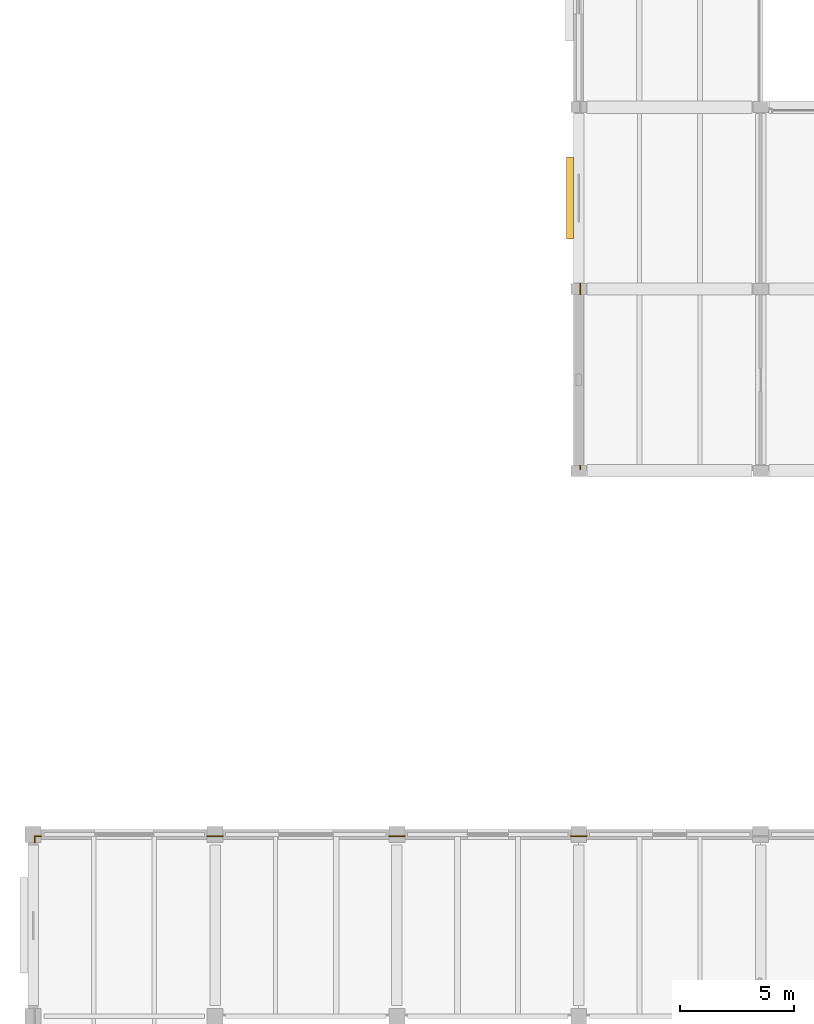
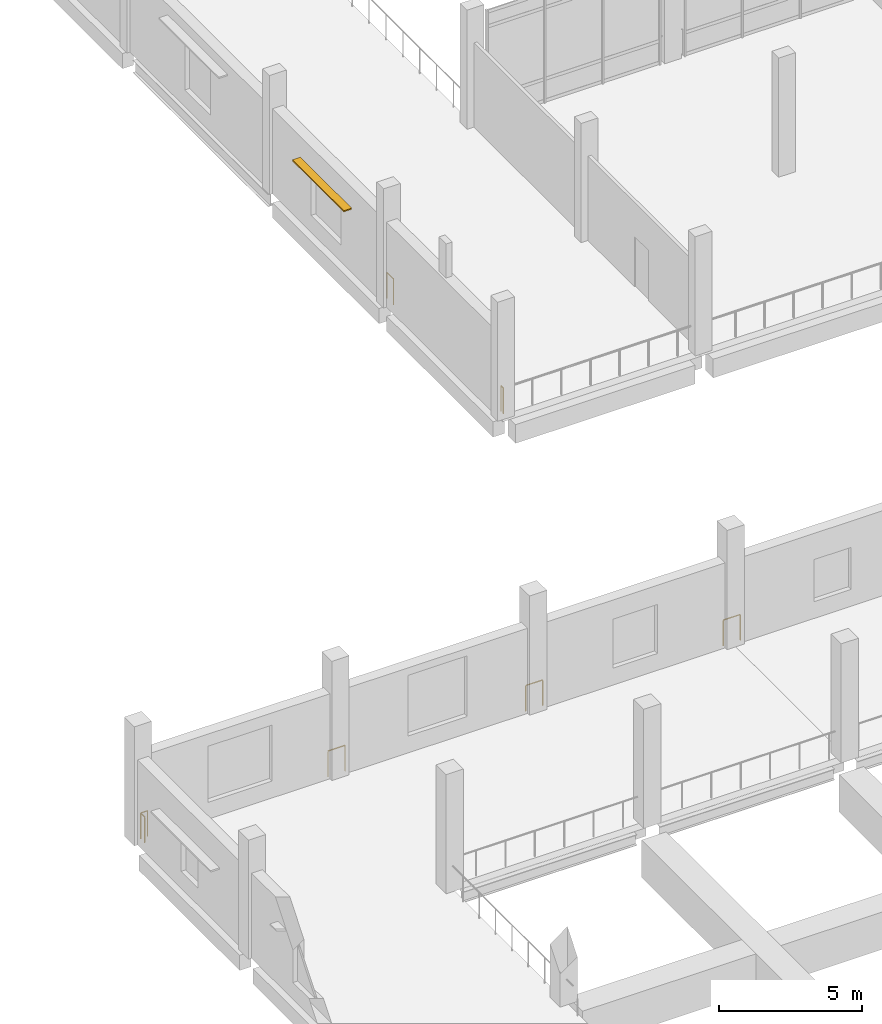
# One storey, part 44 of 61: 7 railings, 1 shading device.
"""IFC4 building model written with IfcOpenShell, lengths in metres."""

from ifc_helpers import new_model, si_unit, direction, frame, origin, origin_2d, place, context, subcontext, project, spatial, rectangle, circle, extrude, material, type_object, element, save


model = new_model("IFC4")

# Units and contexts
model_context = context("Model", 3, precision=1e-05, world=origin(), true_north=direction((0.0, 1.0)))
body_context = subcontext(model_context, "Body", "Model", "MODEL_VIEW")
ifc_project = project(units=[si_unit("LENGTHUNIT", "METRE"), si_unit("AREAUNIT", "SQUARE_METRE"), si_unit("VOLUMEUNIT", "CUBIC_METRE"), si_unit("PLANEANGLEUNIT", "RADIAN"), si_unit("MASSUNIT", "GRAM", prefix="KILO")], contexts=[model_context])

# Site, building, storey
site_placement = place(None, origin())
site = spatial("IfcSite", under=ifc_project, at=site_placement, CompositionType="ELEMENT")
building_placement = place(site_placement, origin())
building = spatial("IfcBuilding", under=site, at=building_placement, Name="Pecanmere Concourse Central Library", CompositionType="ELEMENT")
storey_placement = place(building_placement, frame((0.0, 0.0, 5.39990234375)))
storey = spatial("IfcBuildingStorey", under=building, at=storey_placement, Name="L02", CompositionType="ELEMENT", Elevation=5.39990234375)

# Railings
ifc_material_1 = material(Name="Architectural anodized bronze")
railing_type = type_object("IfcRailingType", Name="RAIL_ATRIUM_BAL", PredefinedType="BALUSTRADE", material=ifc_material_1)
railing_1_placement = place(storey_placement, frame((24.070068359375, 48.070068359375, 0.0)))
element("IfcRailing", 1, at=railing_1_placement, inside=storey, type_object=railing_type, Name="Deck Edge Protective Balustrade L02-041", PredefinedType="BALUSTRADE", context=body_context, shape_type="SweptSolid", body=[
    extrude(circle(Radius=0.02392578125, at=origin_2d()), frame((0.0, 0.0, 1.09619140625), z_axis=(0.0, 1.0, 0.0), x_axis=(-1.0, 0.0, 0.0)), (0.0, 0.0, 1.0), 0.1650390625),
    extrude(circle(Radius=0.02099609375, at=origin_2d()), origin(), (0.0, 0.0, 1.0), 1.072021484375),
    extrude(circle(Radius=0.02099609375, at=origin_2d()), frame((0.0, 0.1650390625, 0.0)), (0.0, 0.0, 1.0), 1.072021484375),
])
railing_2_placement = place(storey_placement, frame((24.070068359375, 55.764892578125, 0.0)))
element("IfcRailing", 2, at=railing_2_placement, inside=storey, type_object=railing_type, Name="Deck Edge Protective Balustrade L02-042", PredefinedType="BALUSTRADE", context=body_context, shape_type="SweptSolid", body=[
    extrude(circle(Radius=0.02392578125, at=origin_2d()), frame((0.0, 0.0, 1.09619140625), z_axis=(0.0, 1.0, 0.0), x_axis=(-1.0, 0.0, 0.0)), (0.0, 0.0, 1.0), 0.47021484375),
    extrude(circle(Radius=0.02099609375, at=origin_2d()), origin(), (0.0, 0.0, 1.0), 1.072021484375),
    extrude(circle(Radius=0.02099609375, at=origin_2d()), frame((0.0, 0.47021484375, 0.0)), (0.0, 0.0, 1.0), 1.072021484375),
])
railing_3_placement = place(storey_placement, frame((0.070068359375, 31.929931640625, 0.0)))
element("IfcRailing", 3, at=railing_3_placement, inside=storey, type_object=railing_type, Name="Deck Edge Protective Balustrade L02-077", PredefinedType="BALUSTRADE", context=body_context, shape_type="SweptSolid", body=[
    extrude(circle(Radius=0.02392578125, at=origin_2d()), frame((0.0, 0.0, 1.09619140625), z_axis=(1.0, 0.0, 0.0), x_axis=(0.0, 1.0, 0.0)), (0.0, 0.0, 1.0), 0.27490234375),
    extrude(circle(Radius=0.02099609375, at=origin_2d()), origin(), (0.0, 0.0, 1.0), 1.072021484375),
    extrude(circle(Radius=0.02099609375, at=origin_2d()), frame((0.27490234375, 0.0, 0.0)), (0.0, 0.0, 1.0), 1.072021484375),
])
for number, where, name in (
    (4, (7.655029296875, 31.929931640625, 0.0), "Deck Edge Protective Balustrade L02-078"),
    (5, (15.655029296875, 31.929931640625, 0.0), "Deck Edge Protective Balustrade L02-079"),
    (6, (23.655029296875, 31.929931640625, 0.0), "Deck Edge Protective Balustrade L02-080"),
):
    element("IfcRailing", number, at=place(storey_placement, frame(where)), inside=storey, type_object=railing_type, Name=name, PredefinedType="BALUSTRADE", context=body_context, shape_type="SweptSolid", body=[
        extrude(circle(Radius=0.02392578125, at=origin_2d()), frame((0.0, 0.0, 1.09619140625), z_axis=(1.0, 0.0, 0.0), x_axis=(0.0, 1.0, 0.0)), (0.0, 0.0, 1.0), 0.68994140625),
        extrude(circle(Radius=0.02099609375, at=origin_2d()), origin(), (0.0, 0.0, 1.0), 1.072021484375),
        extrude(circle(Radius=0.02099609375, at=origin_2d()), frame((0.68994140625, 0.0, 0.0)), (0.0, 0.0, 1.0), 1.072021484375),
    ])
railing_4_placement = place(storey_placement, frame((0.070068359375, 31.655029296875, 0.0)))
element("IfcRailing", 7, at=railing_4_placement, inside=storey, type_object=railing_type, Name="Deck Edge Protective Balustrade L02-097", PredefinedType="BALUSTRADE", context=body_context, shape_type="SweptSolid", body=[
    extrude(circle(Radius=0.02392578125, at=origin_2d()), frame((0.0, 0.0, 1.09619140625), z_axis=(0.0, 1.0, 0.0), x_axis=(-1.0, 0.0, 0.0)), (0.0, 0.0, 1.0), 0.27490234375),
    extrude(circle(Radius=0.02099609375, at=origin_2d()), origin(), (0.0, 0.0, 1.0), 1.072021484375),
    extrude(circle(Radius=0.02099609375, at=origin_2d()), frame((0.0, 0.27490234375, 0.0)), (0.0, 0.0, 1.0), 1.072021484375),
])

# Shading device
ifc_material_2 = material(Name="Architectural anodized bronze")
shading_device_type = type_object("IfcShadingDeviceType", Name="SHD_BRISE_2", PredefinedType="AWNING", material=ifc_material_2)
shading_device_placement = place(storey_placement, frame((23.6201171875, 60.0, 2.70263671875), z_axis=(0.0, 0.0, 1.0), x_axis=(0.0, -1.0, 0.0)))
element("IfcShadingDevice", 8, at=shading_device_placement, inside=storey, type_object=shading_device_type, Name="Bronze Solar Brise-Soleil L02-047", PredefinedType="AWNING", context=body_context, shape_type="SweptSolid", body=[
    extrude(rectangle(XDim=3.60009765625, YDim=0.320068359375, at=origin_2d()), origin(), (0.0, 0.0, 1.0), 0.054931640625),
])

save(model, "model.ifc")
